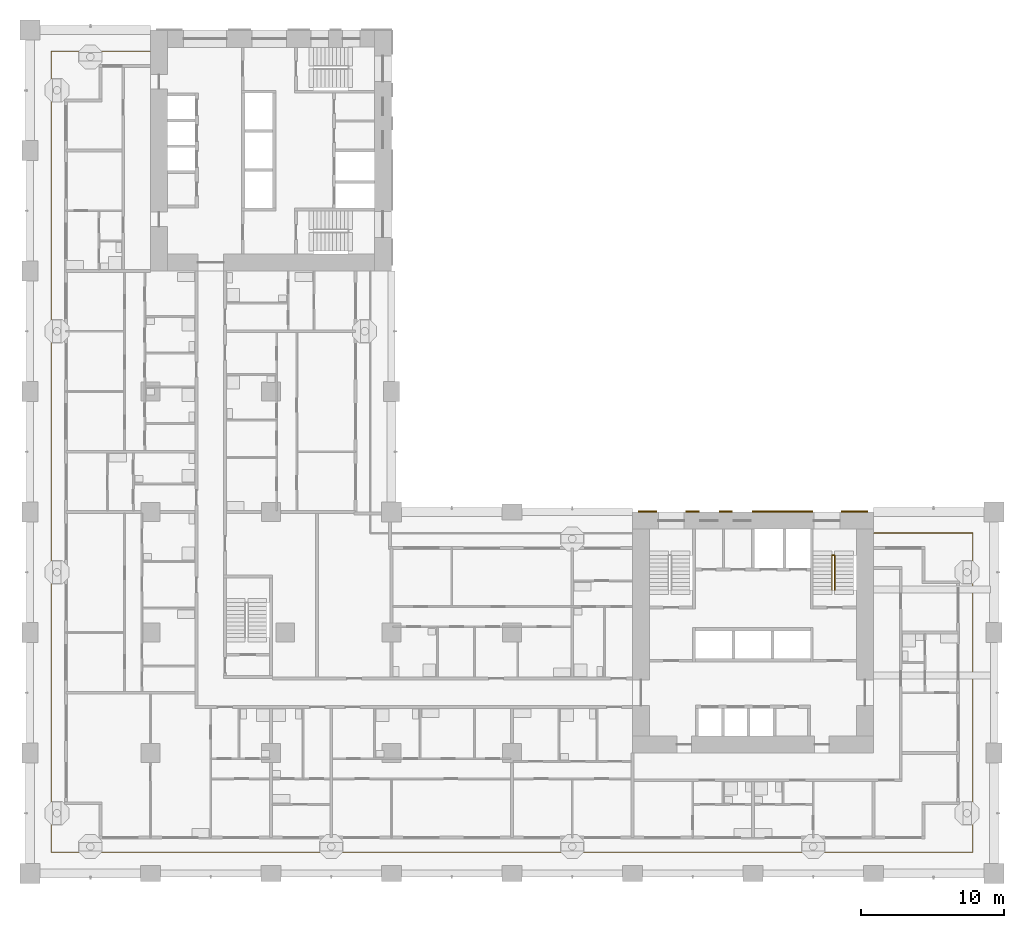
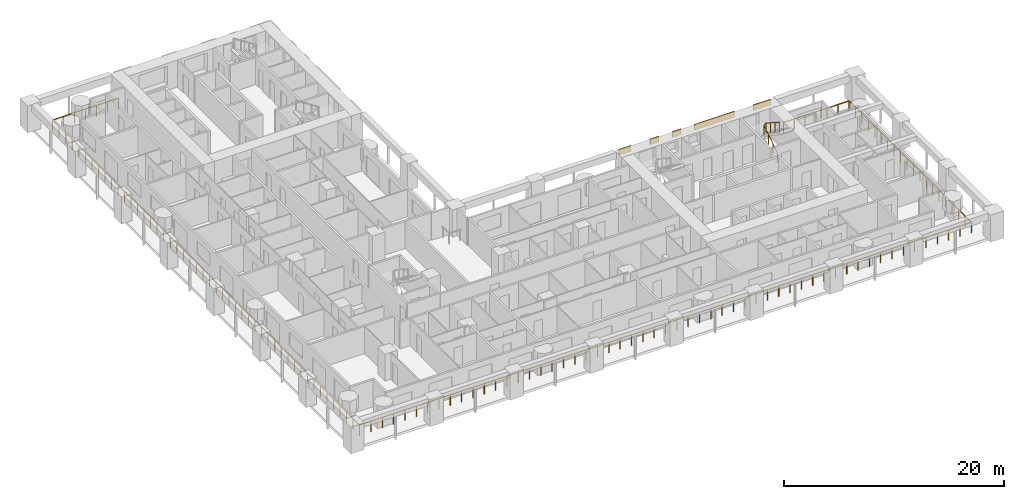
# One storey, part 14 of 21: 5 shading devices, 2 railings.
"""IFC4 building model written with IfcOpenShell, lengths in metres."""

from ifc_helpers import new_model, si_unit, direction, frame, origin, origin_2d, place, context, subcontext, project, spatial, rectangle, circle, extrude, material, layer, layer_set, type_object, element, save


model = new_model("IFC4")

# Units and contexts
model_context = context("Model", 3, precision=1e-05, world=origin(), true_north=direction((0.0, 1.0)))
body_context = subcontext(model_context, "Body", "Model", "MODEL_VIEW")
ifc_project = project(units=[si_unit("LENGTHUNIT", "METRE"), si_unit("AREAUNIT", "SQUARE_METRE"), si_unit("VOLUMEUNIT", "CUBIC_METRE"), si_unit("PLANEANGLEUNIT", "RADIAN"), si_unit("MASSUNIT", "GRAM", prefix="KILO")], contexts=[model_context])

# Site, building, storey
site_placement = place(None, origin())
site = spatial("IfcSite", under=ifc_project, at=site_placement, CompositionType="ELEMENT")
building_placement = place(site_placement, origin())
building = spatial("IfcBuilding", under=site, at=building_placement, Name="Vermilion Gate Residences", CompositionType="ELEMENT")
storey_placement = place(building_placement, frame((0.0, 0.0, 70.699951171875)))
storey = spatial("IfcBuildingStorey", under=building, at=storey_placement, Name="L17", CompositionType="ELEMENT", Elevation=70.699951171875)

# Railings
ifc_material_1 = material(Name="Stainless steel and toughened glass", Category="steel")
railing_type_1 = type_object("IfcRailingType", Name="LOGGIA GUARD STEEL AND GLASS 1200", PredefinedType="GUARDRAIL", material=ifc_material_1)
railing_1_placement = place(storey_placement, frame((8.3779296875, 57.324951171875, 0.0)))
element("IfcRailing", 1, at=railing_1_placement, inside=storey, type_object=railing_type_1, Name="Loggia guard", PredefinedType="GUARDRAIL", context=body_context, shape_type="SweptSolid", body=[
    extrude(circle(Radius=0.030029296875, at=origin_2d()), frame((0.0, 0.0, 1.169921875), z_axis=(-1.0, 0.0, 0.0), x_axis=(0.0, -1.0, 0.0)), (0.0, 0.0, 1.0), 6.90283203125),
    extrude(circle(Radius=0.030029296875, at=origin_2d()), frame((-6.90283203125, 0.0, 1.169921875), z_axis=(0.0, -1.0, 0.0), x_axis=(1.0, 0.0, 0.0)), (0.0, 0.0, 1.0), 55.849853515625),
    extrude(circle(Radius=0.030029296875, at=origin_2d()), frame((-6.90283203125, -55.849853515625, 1.169921875), z_axis=(1.0, 0.0, 0.0), x_axis=(0.0, 1.0, 0.0)), (0.0, 0.0, 1.0), 64.25),
    extrude(circle(Radius=0.030029296875, at=origin_2d()), frame((57.34716796875, -55.849853515625, 1.169921875), z_axis=(0.0, 1.0, 0.0), x_axis=(-1.0, 0.0, 0.0)), (0.0, 0.0, 1.0), 22.25),
    extrude(circle(Radius=0.030029296875, at=origin_2d()), frame((57.34716796875, -33.599853515625, 1.169921875), z_axis=(-1.0, 0.0, 0.0), x_axis=(0.0, -1.0, 0.0)), (0.0, 0.0, 1.0), 6.903076171875),
    extrude(circle(Radius=0.02490234375, at=origin_2d()), origin(), (0.0, 0.0, 1.0), 1.139892578125),
    extrude(circle(Radius=0.02490234375, at=origin_2d()), frame((-1.150390625, 0.0, 0.0)), (0.0, 0.0, 1.0), 1.139892578125),
    extrude(circle(Radius=0.02490234375, at=origin_2d()), frame((-2.301025390625, 0.0, 0.0)), (0.0, 0.0, 1.0), 1.139892578125),
    extrude(circle(Radius=0.02490234375, at=origin_2d()), frame((-3.451416015625, 0.0, 0.0)), (0.0, 0.0, 1.0), 1.139892578125),
    extrude(circle(Radius=0.02490234375, at=origin_2d()), frame((-4.601806640625, 0.0, 0.0)), (0.0, 0.0, 1.0), 1.139892578125),
    extrude(circle(Radius=0.02490234375, at=origin_2d()), frame((-5.75244140625, 0.0, 0.0)), (0.0, 0.0, 1.0), 1.139892578125),
    extrude(circle(Radius=0.02490234375, at=origin_2d()), frame((-6.90283203125, 0.0, 0.0)), (0.0, 0.0, 1.0), 1.139892578125),
    extrude(circle(Radius=0.02490234375, at=origin_2d()), frame((-6.90283203125, -1.188232421875, 0.0)), (0.0, 0.0, 1.0), 1.139892578125),
    extrude(circle(Radius=0.02490234375, at=origin_2d()), frame((-6.90283203125, -2.376708984375, 0.0)), (0.0, 0.0, 1.0), 1.139892578125),
    extrude(circle(Radius=0.02490234375, at=origin_2d()), frame((-6.90283203125, -3.56494140625, 0.0)), (0.0, 0.0, 1.0), 1.139892578125),
    extrude(circle(Radius=0.02490234375, at=origin_2d()), frame((-6.90283203125, -4.753173828125, 0.0)), (0.0, 0.0, 1.0), 1.139892578125),
    extrude(circle(Radius=0.02490234375, at=origin_2d()), frame((-6.90283203125, -5.94140625, 0.0)), (0.0, 0.0, 1.0), 1.139892578125),
    extrude(circle(Radius=0.02490234375, at=origin_2d()), frame((-6.90283203125, -7.1298828125, 0.0)), (0.0, 0.0, 1.0), 1.139892578125),
    extrude(circle(Radius=0.02490234375, at=origin_2d()), frame((-6.90283203125, -8.318115234375, 0.0)), (0.0, 0.0, 1.0), 1.139892578125),
    extrude(circle(Radius=0.02490234375, at=origin_2d()), frame((-6.90283203125, -9.50634765625, 0.0)), (0.0, 0.0, 1.0), 1.139892578125),
    extrude(circle(Radius=0.02490234375, at=origin_2d()), frame((-6.90283203125, -10.694580078125, 0.0)), (0.0, 0.0, 1.0), 1.139892578125),
    extrude(circle(Radius=0.02490234375, at=origin_2d()), frame((-6.90283203125, -11.883056640625, 0.0)), (0.0, 0.0, 1.0), 1.139892578125),
    extrude(circle(Radius=0.02490234375, at=origin_2d()), frame((-6.90283203125, -13.0712890625, 0.0)), (0.0, 0.0, 1.0), 1.139892578125),
    extrude(circle(Radius=0.02490234375, at=origin_2d()), frame((-6.90283203125, -14.259521484375, 0.0)), (0.0, 0.0, 1.0), 1.139892578125),
    extrude(circle(Radius=0.02490234375, at=origin_2d()), frame((-6.90283203125, -15.44775390625, 0.0)), (0.0, 0.0, 1.0), 1.139892578125),
    extrude(circle(Radius=0.02490234375, at=origin_2d()), frame((-6.90283203125, -16.63623046875, 0.0)), (0.0, 0.0, 1.0), 1.139892578125),
    extrude(circle(Radius=0.02490234375, at=origin_2d()), frame((-6.90283203125, -17.824462890625, 0.0)), (0.0, 0.0, 1.0), 1.139892578125),
    extrude(circle(Radius=0.02490234375, at=origin_2d()), frame((-6.90283203125, -19.0126953125, 0.0)), (0.0, 0.0, 1.0), 1.139892578125),
    extrude(circle(Radius=0.02490234375, at=origin_2d()), frame((-6.90283203125, -20.200927734375, 0.0)), (0.0, 0.0, 1.0), 1.139892578125),
    extrude(circle(Radius=0.02490234375, at=origin_2d()), frame((-6.90283203125, -21.389404296875, 0.0)), (0.0, 0.0, 1.0), 1.139892578125),
    extrude(circle(Radius=0.02490234375, at=origin_2d()), frame((-6.90283203125, -22.57763671875, 0.0)), (0.0, 0.0, 1.0), 1.139892578125),
    extrude(circle(Radius=0.02490234375, at=origin_2d()), frame((-6.90283203125, -23.765869140625, 0.0)), (0.0, 0.0, 1.0), 1.139892578125),
    extrude(circle(Radius=0.02490234375, at=origin_2d()), frame((-6.90283203125, -24.9541015625, 0.0)), (0.0, 0.0, 1.0), 1.139892578125),
    extrude(circle(Radius=0.02490234375, at=origin_2d()), frame((-6.90283203125, -26.142578125, 0.0)), (0.0, 0.0, 1.0), 1.139892578125),
    extrude(circle(Radius=0.02490234375, at=origin_2d()), frame((-6.90283203125, -27.330810546875, 0.0)), (0.0, 0.0, 1.0), 1.139892578125),
    extrude(circle(Radius=0.02490234375, at=origin_2d()), frame((-6.90283203125, -28.51904296875, 0.0)), (0.0, 0.0, 1.0), 1.139892578125),
    extrude(circle(Radius=0.02490234375, at=origin_2d()), frame((-6.90283203125, -29.707275390625, 0.0)), (0.0, 0.0, 1.0), 1.139892578125),
    extrude(circle(Radius=0.02490234375, at=origin_2d()), frame((-6.90283203125, -30.895751953125, 0.0)), (0.0, 0.0, 1.0), 1.139892578125),
    extrude(circle(Radius=0.02490234375, at=origin_2d()), frame((-6.90283203125, -32.083984375, 0.0)), (0.0, 0.0, 1.0), 1.139892578125),
    extrude(circle(Radius=0.02490234375, at=origin_2d()), frame((-6.90283203125, -33.272216796875, 0.0)), (0.0, 0.0, 1.0), 1.139892578125),
    extrude(circle(Radius=0.02490234375, at=origin_2d()), frame((-6.90283203125, -34.46044921875, 0.0)), (0.0, 0.0, 1.0), 1.139892578125),
    extrude(circle(Radius=0.02490234375, at=origin_2d()), frame((-6.90283203125, -35.64892578125, 0.0)), (0.0, 0.0, 1.0), 1.139892578125),
    extrude(circle(Radius=0.02490234375, at=origin_2d()), frame((-6.90283203125, -36.837158203125, 0.0)), (0.0, 0.0, 1.0), 1.139892578125),
    extrude(circle(Radius=0.02490234375, at=origin_2d()), frame((-6.90283203125, -38.025390625, 0.0)), (0.0, 0.0, 1.0), 1.139892578125),
    extrude(circle(Radius=0.02490234375, at=origin_2d()), frame((-6.90283203125, -39.213623046875, 0.0)), (0.0, 0.0, 1.0), 1.139892578125),
    extrude(circle(Radius=0.02490234375, at=origin_2d()), frame((-6.90283203125, -40.402099609375, 0.0)), (0.0, 0.0, 1.0), 1.139892578125),
    extrude(circle(Radius=0.02490234375, at=origin_2d()), frame((-6.90283203125, -41.59033203125, 0.0)), (0.0, 0.0, 1.0), 1.139892578125),
    extrude(circle(Radius=0.02490234375, at=origin_2d()), frame((-6.90283203125, -42.778564453125, 0.0)), (0.0, 0.0, 1.0), 1.139892578125),
    extrude(circle(Radius=0.02490234375, at=origin_2d()), frame((-6.90283203125, -43.966796875, 0.0)), (0.0, 0.0, 1.0), 1.139892578125),
    extrude(circle(Radius=0.02490234375, at=origin_2d()), frame((-6.90283203125, -45.1552734375, 0.0)), (0.0, 0.0, 1.0), 1.139892578125),
    extrude(circle(Radius=0.02490234375, at=origin_2d()), frame((-6.90283203125, -46.343505859375, 0.0)), (0.0, 0.0, 1.0), 1.139892578125),
    extrude(circle(Radius=0.02490234375, at=origin_2d()), frame((-6.90283203125, -47.53173828125, 0.0)), (0.0, 0.0, 1.0), 1.139892578125),
    extrude(circle(Radius=0.02490234375, at=origin_2d()), frame((-6.90283203125, -48.719970703125, 0.0)), (0.0, 0.0, 1.0), 1.139892578125),
    extrude(circle(Radius=0.02490234375, at=origin_2d()), frame((-6.90283203125, -49.908447265625, 0.0)), (0.0, 0.0, 1.0), 1.139892578125),
    extrude(circle(Radius=0.02490234375, at=origin_2d()), frame((-6.90283203125, -51.0966796875, 0.0)), (0.0, 0.0, 1.0), 1.139892578125),
    extrude(circle(Radius=0.02490234375, at=origin_2d()), frame((-6.90283203125, -52.284912109375, 0.0)), (0.0, 0.0, 1.0), 1.139892578125),
    extrude(circle(Radius=0.02490234375, at=origin_2d()), frame((-6.90283203125, -53.47314453125, 0.0)), (0.0, 0.0, 1.0), 1.139892578125),
    extrude(circle(Radius=0.02490234375, at=origin_2d()), frame((-6.90283203125, -54.66162109375, 0.0)), (0.0, 0.0, 1.0), 1.139892578125),
    extrude(circle(Radius=0.02490234375, at=origin_2d()), frame((-6.90283203125, -55.849853515625, 0.0)), (0.0, 0.0, 1.0), 1.139892578125),
    extrude(circle(Radius=0.02490234375, at=origin_2d()), frame((-5.713134765625, -55.849853515625, 0.0)), (0.0, 0.0, 1.0), 1.139892578125),
    extrude(circle(Radius=0.02490234375, at=origin_2d()), frame((-4.523193359375, -55.849853515625, 0.0)), (0.0, 0.0, 1.0), 1.139892578125),
    extrude(circle(Radius=0.02490234375, at=origin_2d()), frame((-3.33349609375, -55.849853515625, 0.0)), (0.0, 0.0, 1.0), 1.139892578125),
    extrude(circle(Radius=0.02490234375, at=origin_2d()), frame((-2.1435546875, -55.849853515625, 0.0)), (0.0, 0.0, 1.0), 1.139892578125),
    extrude(circle(Radius=0.02490234375, at=origin_2d()), frame((-0.953857421875, -55.849853515625, 0.0)), (0.0, 0.0, 1.0), 1.139892578125),
    extrude(circle(Radius=0.02490234375, at=origin_2d()), frame((0.236083984375, -55.849853515625, 0.0)), (0.0, 0.0, 1.0), 1.139892578125),
    extrude(circle(Radius=0.02490234375, at=origin_2d()), frame((1.42578125, -55.849853515625, 0.0)), (0.0, 0.0, 1.0), 1.139892578125),
    extrude(circle(Radius=0.02490234375, at=origin_2d()), frame((2.61572265625, -55.849853515625, 0.0)), (0.0, 0.0, 1.0), 1.139892578125),
    extrude(circle(Radius=0.02490234375, at=origin_2d()), frame((3.805419921875, -55.849853515625, 0.0)), (0.0, 0.0, 1.0), 1.139892578125),
    extrude(circle(Radius=0.02490234375, at=origin_2d()), frame((4.995361328125, -55.849853515625, 0.0)), (0.0, 0.0, 1.0), 1.139892578125),
    extrude(circle(Radius=0.02490234375, at=origin_2d()), frame((6.18505859375, -55.849853515625, 0.0)), (0.0, 0.0, 1.0), 1.139892578125),
    extrude(circle(Radius=0.02490234375, at=origin_2d()), frame((7.375, -55.849853515625, 0.0)), (0.0, 0.0, 1.0), 1.139892578125),
    extrude(circle(Radius=0.02490234375, at=origin_2d()), frame((8.564697265625, -55.849853515625, 0.0)), (0.0, 0.0, 1.0), 1.139892578125),
    extrude(circle(Radius=0.02490234375, at=origin_2d()), frame((9.754638671875, -55.849853515625, 0.0)), (0.0, 0.0, 1.0), 1.139892578125),
    extrude(circle(Radius=0.02490234375, at=origin_2d()), frame((10.9443359375, -55.849853515625, 0.0)), (0.0, 0.0, 1.0), 1.139892578125),
    extrude(circle(Radius=0.02490234375, at=origin_2d()), frame((12.13427734375, -55.849853515625, 0.0)), (0.0, 0.0, 1.0), 1.139892578125),
    extrude(circle(Radius=0.02490234375, at=origin_2d()), frame((13.323974609375, -55.849853515625, 0.0)), (0.0, 0.0, 1.0), 1.139892578125),
    extrude(circle(Radius=0.02490234375, at=origin_2d()), frame((14.513916015625, -55.849853515625, 0.0)), (0.0, 0.0, 1.0), 1.139892578125),
    extrude(circle(Radius=0.02490234375, at=origin_2d()), frame((15.70361328125, -55.849853515625, 0.0)), (0.0, 0.0, 1.0), 1.139892578125),
    extrude(circle(Radius=0.02490234375, at=origin_2d()), frame((16.8935546875, -55.849853515625, 0.0)), (0.0, 0.0, 1.0), 1.139892578125),
    extrude(circle(Radius=0.02490234375, at=origin_2d()), frame((18.083251953125, -55.849853515625, 0.0)), (0.0, 0.0, 1.0), 1.139892578125),
    extrude(circle(Radius=0.02490234375, at=origin_2d()), frame((19.273193359375, -55.849853515625, 0.0)), (0.0, 0.0, 1.0), 1.139892578125),
    extrude(circle(Radius=0.02490234375, at=origin_2d()), frame((20.462890625, -55.849853515625, 0.0)), (0.0, 0.0, 1.0), 1.139892578125),
    extrude(circle(Radius=0.02490234375, at=origin_2d()), frame((21.65283203125, -55.849853515625, 0.0)), (0.0, 0.0, 1.0), 1.139892578125),
    extrude(circle(Radius=0.02490234375, at=origin_2d()), frame((22.842529296875, -55.849853515625, 0.0)), (0.0, 0.0, 1.0), 1.139892578125),
    extrude(circle(Radius=0.02490234375, at=origin_2d()), frame((24.032470703125, -55.849853515625, 0.0)), (0.0, 0.0, 1.0), 1.139892578125),
    extrude(circle(Radius=0.02490234375, at=origin_2d()), frame((25.22216796875, -55.849853515625, 0.0)), (0.0, 0.0, 1.0), 1.139892578125),
    extrude(circle(Radius=0.02490234375, at=origin_2d()), frame((26.411865234375, -55.849853515625, 0.0)), (0.0, 0.0, 1.0), 1.139892578125),
    extrude(circle(Radius=0.02490234375, at=origin_2d()), frame((27.601806640625, -55.849853515625, 0.0)), (0.0, 0.0, 1.0), 1.139892578125),
    extrude(circle(Radius=0.02490234375, at=origin_2d()), frame((28.79150390625, -55.849853515625, 0.0)), (0.0, 0.0, 1.0), 1.139892578125),
    extrude(circle(Radius=0.02490234375, at=origin_2d()), frame((29.9814453125, -55.849853515625, 0.0)), (0.0, 0.0, 1.0), 1.139892578125),
    extrude(circle(Radius=0.02490234375, at=origin_2d()), frame((31.171142578125, -55.849853515625, 0.0)), (0.0, 0.0, 1.0), 1.139892578125),
    extrude(circle(Radius=0.02490234375, at=origin_2d()), frame((32.361083984375, -55.849853515625, 0.0)), (0.0, 0.0, 1.0), 1.139892578125),
    extrude(circle(Radius=0.02490234375, at=origin_2d()), frame((33.55078125, -55.849853515625, 0.0)), (0.0, 0.0, 1.0), 1.139892578125),
    extrude(circle(Radius=0.02490234375, at=origin_2d()), frame((34.74072265625, -55.849853515625, 0.0)), (0.0, 0.0, 1.0), 1.139892578125),
    extrude(circle(Radius=0.02490234375, at=origin_2d()), frame((35.930419921875, -55.849853515625, 0.0)), (0.0, 0.0, 1.0), 1.139892578125),
    extrude(circle(Radius=0.02490234375, at=origin_2d()), frame((37.120361328125, -55.849853515625, 0.0)), (0.0, 0.0, 1.0), 1.139892578125),
    extrude(circle(Radius=0.02490234375, at=origin_2d()), frame((38.31005859375, -55.849853515625, 0.0)), (0.0, 0.0, 1.0), 1.139892578125),
    extrude(circle(Radius=0.02490234375, at=origin_2d()), frame((39.5, -55.849853515625, 0.0)), (0.0, 0.0, 1.0), 1.139892578125),
    extrude(circle(Radius=0.02490234375, at=origin_2d()), frame((40.689697265625, -55.849853515625, 0.0)), (0.0, 0.0, 1.0), 1.139892578125),
    extrude(circle(Radius=0.02490234375, at=origin_2d()), frame((41.879638671875, -55.849853515625, 0.0)), (0.0, 0.0, 1.0), 1.139892578125),
    extrude(circle(Radius=0.02490234375, at=origin_2d()), frame((43.0693359375, -55.849853515625, 0.0)), (0.0, 0.0, 1.0), 1.139892578125),
    extrude(circle(Radius=0.02490234375, at=origin_2d()), frame((44.25927734375, -55.849853515625, 0.0)), (0.0, 0.0, 1.0), 1.139892578125),
    extrude(circle(Radius=0.02490234375, at=origin_2d()), frame((45.448974609375, -55.849853515625, 0.0)), (0.0, 0.0, 1.0), 1.139892578125),
    extrude(circle(Radius=0.02490234375, at=origin_2d()), frame((46.638916015625, -55.849853515625, 0.0)), (0.0, 0.0, 1.0), 1.139892578125),
    extrude(circle(Radius=0.02490234375, at=origin_2d()), frame((47.82861328125, -55.849853515625, 0.0)), (0.0, 0.0, 1.0), 1.139892578125),
    extrude(circle(Radius=0.02490234375, at=origin_2d()), frame((49.0185546875, -55.849853515625, 0.0)), (0.0, 0.0, 1.0), 1.139892578125),
    extrude(circle(Radius=0.02490234375, at=origin_2d()), frame((50.208251953125, -55.849853515625, 0.0)), (0.0, 0.0, 1.0), 1.139892578125),
    extrude(circle(Radius=0.02490234375, at=origin_2d()), frame((51.398193359375, -55.849853515625, 0.0)), (0.0, 0.0, 1.0), 1.139892578125),
    extrude(circle(Radius=0.02490234375, at=origin_2d()), frame((52.587890625, -55.849853515625, 0.0)), (0.0, 0.0, 1.0), 1.139892578125),
    extrude(circle(Radius=0.02490234375, at=origin_2d()), frame((53.77783203125, -55.849853515625, 0.0)), (0.0, 0.0, 1.0), 1.139892578125),
    extrude(circle(Radius=0.02490234375, at=origin_2d()), frame((54.967529296875, -55.849853515625, 0.0)), (0.0, 0.0, 1.0), 1.139892578125),
    extrude(circle(Radius=0.02490234375, at=origin_2d()), frame((56.157470703125, -55.849853515625, 0.0)), (0.0, 0.0, 1.0), 1.139892578125),
    extrude(circle(Radius=0.02490234375, at=origin_2d()), frame((57.34716796875, -55.849853515625, 0.0)), (0.0, 0.0, 1.0), 1.139892578125),
    extrude(circle(Radius=0.02490234375, at=origin_2d()), frame((57.34716796875, -54.6787109375, 0.0)), (0.0, 0.0, 1.0), 1.139892578125),
    extrude(circle(Radius=0.02490234375, at=origin_2d()), frame((57.34716796875, -53.5078125, 0.0)), (0.0, 0.0, 1.0), 1.139892578125),
    extrude(circle(Radius=0.02490234375, at=origin_2d()), frame((57.34716796875, -52.336669921875, 0.0)), (0.0, 0.0, 1.0), 1.139892578125),
    extrude(circle(Radius=0.02490234375, at=origin_2d()), frame((57.34716796875, -51.16552734375, 0.0)), (0.0, 0.0, 1.0), 1.139892578125),
    extrude(circle(Radius=0.02490234375, at=origin_2d()), frame((57.34716796875, -49.99462890625, 0.0)), (0.0, 0.0, 1.0), 1.139892578125),
    extrude(circle(Radius=0.02490234375, at=origin_2d()), frame((57.34716796875, -48.823486328125, 0.0)), (0.0, 0.0, 1.0), 1.139892578125),
    extrude(circle(Radius=0.02490234375, at=origin_2d()), frame((57.34716796875, -47.652587890625, 0.0)), (0.0, 0.0, 1.0), 1.139892578125),
    extrude(circle(Radius=0.02490234375, at=origin_2d()), frame((57.34716796875, -46.4814453125, 0.0)), (0.0, 0.0, 1.0), 1.139892578125),
    extrude(circle(Radius=0.02490234375, at=origin_2d()), frame((57.34716796875, -45.310302734375, 0.0)), (0.0, 0.0, 1.0), 1.139892578125),
    extrude(circle(Radius=0.02490234375, at=origin_2d()), frame((57.34716796875, -44.139404296875, 0.0)), (0.0, 0.0, 1.0), 1.139892578125),
    extrude(circle(Radius=0.02490234375, at=origin_2d()), frame((57.34716796875, -42.96826171875, 0.0)), (0.0, 0.0, 1.0), 1.139892578125),
    extrude(circle(Radius=0.02490234375, at=origin_2d()), frame((57.34716796875, -41.797119140625, 0.0)), (0.0, 0.0, 1.0), 1.139892578125),
    extrude(circle(Radius=0.02490234375, at=origin_2d()), frame((57.34716796875, -40.626220703125, 0.0)), (0.0, 0.0, 1.0), 1.139892578125),
    extrude(circle(Radius=0.02490234375, at=origin_2d()), frame((57.34716796875, -39.455078125, 0.0)), (0.0, 0.0, 1.0), 1.139892578125),
    extrude(circle(Radius=0.02490234375, at=origin_2d()), frame((57.34716796875, -38.2841796875, 0.0)), (0.0, 0.0, 1.0), 1.139892578125),
    extrude(circle(Radius=0.02490234375, at=origin_2d()), frame((57.34716796875, -37.113037109375, 0.0)), (0.0, 0.0, 1.0), 1.139892578125),
    extrude(circle(Radius=0.02490234375, at=origin_2d()), frame((57.34716796875, -35.94189453125, 0.0)), (0.0, 0.0, 1.0), 1.139892578125),
    extrude(circle(Radius=0.02490234375, at=origin_2d()), frame((57.34716796875, -34.77099609375, 0.0)), (0.0, 0.0, 1.0), 1.139892578125),
    extrude(circle(Radius=0.02490234375, at=origin_2d()), frame((57.34716796875, -33.599853515625, 0.0)), (0.0, 0.0, 1.0), 1.139892578125),
    extrude(circle(Radius=0.02490234375, at=origin_2d()), frame((56.19677734375, -33.599853515625, 0.0)), (0.0, 0.0, 1.0), 1.139892578125),
    extrude(circle(Radius=0.02490234375, at=origin_2d()), frame((55.046142578125, -33.599853515625, 0.0)), (0.0, 0.0, 1.0), 1.139892578125),
    extrude(circle(Radius=0.02490234375, at=origin_2d()), frame((53.8955078125, -33.599853515625, 0.0)), (0.0, 0.0, 1.0), 1.139892578125),
    extrude(circle(Radius=0.02490234375, at=origin_2d()), frame((52.7451171875, -33.599853515625, 0.0)), (0.0, 0.0, 1.0), 1.139892578125),
    extrude(circle(Radius=0.02490234375, at=origin_2d()), frame((51.5947265625, -33.599853515625, 0.0)), (0.0, 0.0, 1.0), 1.139892578125),
    extrude(circle(Radius=0.02490234375, at=origin_2d()), frame((50.444091796875, -33.599853515625, 0.0)), (0.0, 0.0, 1.0), 1.139892578125),
])
ifc_material_2 = material(Name="Steel S355", Category="steel")
railing_type_2 = type_object("IfcRailingType", Name="STAIR GUARD 1100 STEEL", PredefinedType="GUARDRAIL", material=ifc_material_2)
railing_2_placement = place(storey_placement, frame((55.89990234375, 19.75, 0.175048828125)))
element("IfcRailing", 2, at=railing_2_placement, inside=storey, type_object=railing_type_2, Name="Stair well guard STA2-17", PredefinedType="GUARDRAIL", context=body_context, shape_type="SweptSolid", body=[
    extrude(circle(Radius=0.02392578125, at=origin_2d()), frame((0.0, 0.0, 1.076171875), z_axis=(0.0, 0.839153699163, 0.543894354798), x_axis=(-1.0, 0.0, 0.0)), (0.0, 0.0, 1.0), 2.895751953125),
    extrude(circle(Radius=0.02392578125, at=origin_2d()), frame((0.0, 2.429931640625, 2.65087890625), z_axis=(0.752804132164, 0.0, 0.658244588734), x_axis=(0.0, 1.0, 0.0)), (0.0, 0.0, 1.0), 0.265869140625),
    extrude(circle(Radius=0.02392578125, at=origin_2d()), frame((0.2001953125, 2.429931640625, 2.826171875), z_axis=(0.0, -0.839153699163, 0.543894354798), x_axis=(1.0, 0.0, 0.0)), (0.0, 0.0, 1.0), 2.895751953125),
    extrude(circle(Radius=0.02099609375, at=origin_2d()), origin(), (0.0, 0.0, 1.0), 1.052001953125),
    extrude(circle(Radius=0.02099609375, at=origin_2d()), frame((0.0, 0.81005859375, 0.52490234375)), (0.0, 0.0, 1.0), 1.052001953125),
    extrude(circle(Radius=0.02099609375, at=origin_2d()), frame((0.0, 1.619873046875, 1.050048828125)), (0.0, 0.0, 1.0), 1.052001953125),
    extrude(circle(Radius=0.02099609375, at=origin_2d()), frame((0.0, 2.429931640625, 1.574951171875)), (0.0, 0.0, 1.0), 1.052001953125),
    extrude(circle(Radius=0.02099609375, at=origin_2d()), frame((0.2001953125, 2.429931640625, 1.75)), (0.0, 0.0, 1.0), 1.052001953125),
    extrude(circle(Radius=0.02099609375, at=origin_2d()), frame((0.2001953125, 1.619873046875, 2.27490234375)), (0.0, 0.0, 1.0), 1.052001953125),
    extrude(circle(Radius=0.02099609375, at=origin_2d()), frame((0.2001953125, 0.81005859375, 2.800048828125)), (0.0, 0.0, 1.0), 1.052001953125),
    extrude(circle(Radius=0.02099609375, at=origin_2d()), frame((0.2001953125, 0.0, 3.324951171875)), (0.0, 0.0, 1.0), 1.052001953125),
])

# Shading devices
ifc_material_3 = material(Name="Extruded terracotta", Category="masonry")
ifc_layer = layer(ifc_material_3, 0.10009765625)
ifc_layer_set = layer_set([ifc_layer], Name="TERRACOTTA SPANDREL BAND 600 X 100")
shading_device_type = type_object("IfcShadingDeviceType", Name="TERRACOTTA SPANDREL BAND 600 X 100", PredefinedType="USERDEFINED", material=ifc_layer_set)
shading_device_1_placement = place(storey_placement, frame((43.050048828125, 25.25, 2.39990234375), z_axis=(0.0, 0.0, 1.0), x_axis=(1.0, 0.0, 0.0)))
element("IfcShadingDevice", 3, at=shading_device_1_placement, inside=storey, type_object=shading_device_type, Name="SPANDREL BAND", ObjectType="BAND", PredefinedType="USERDEFINED", context=body_context, shape_type="SweptSolid", body=[
    extrude(rectangle(XDim=1.300048828125, YDim=0.10009765625, at=origin_2d()), origin(), (0.0, 0.0, 1.0), 0.60009765625),
])
shading_device_2_placement = place(storey_placement, frame((46.168701171875, 25.25, 2.39990234375), z_axis=(0.0, 0.0, 1.0), x_axis=(1.0, 0.0, 0.0)))
element("IfcShadingDevice", 4, at=shading_device_2_placement, inside=storey, type_object=shading_device_type, Name="SPANDREL BAND", ObjectType="BAND", PredefinedType="USERDEFINED", context=body_context, shape_type="SweptSolid", body=[
    extrude(rectangle(XDim=0.9375, YDim=0.10009765625, at=origin_2d()), origin(), (0.0, 0.0, 1.0), 0.60009765625),
])
shading_device_3_placement = place(storey_placement, frame((48.49365234375, 25.25, 2.39990234375), z_axis=(0.0, 0.0, 1.0), x_axis=(1.0, 0.0, 0.0)))
element("IfcShadingDevice", 5, at=shading_device_3_placement, inside=storey, type_object=shading_device_type, Name="SPANDREL BAND", ObjectType="BAND", PredefinedType="USERDEFINED", context=body_context, shape_type="SweptSolid", body=[
    extrude(rectangle(XDim=0.91259765625, YDim=0.10009765625, at=origin_2d()), origin(), (0.0, 0.0, 1.0), 0.60009765625),
])
shading_device_4_placement = place(storey_placement, frame((52.449951171875, 25.25, 2.39990234375), z_axis=(0.0, 0.0, 1.0), x_axis=(1.0, 0.0, 0.0)))
element("IfcShadingDevice", 6, at=shading_device_4_placement, inside=storey, type_object=shading_device_type, Name="SPANDREL BAND", ObjectType="BAND", PredefinedType="USERDEFINED", context=body_context, shape_type="SweptSolid", body=[
    extrude(rectangle(XDim=4.199951171875, YDim=0.10009765625, at=origin_2d()), origin(), (0.0, 0.0, 1.0), 0.60009765625),
])
shading_device_5_placement = place(storey_placement, frame((57.47509765625, 25.25, 2.39990234375), z_axis=(0.0, 0.0, 1.0), x_axis=(1.0, 0.0, 0.0)))
element("IfcShadingDevice", 7, at=shading_device_5_placement, inside=storey, type_object=shading_device_type, Name="SPANDREL BAND", ObjectType="BAND", PredefinedType="USERDEFINED", context=body_context, shape_type="SweptSolid", body=[
    extrude(rectangle(XDim=1.85009765625, YDim=0.10009765625, at=origin_2d()), origin(), (0.0, 0.0, 1.0), 0.60009765625),
])

save(model, "model.ifc")
